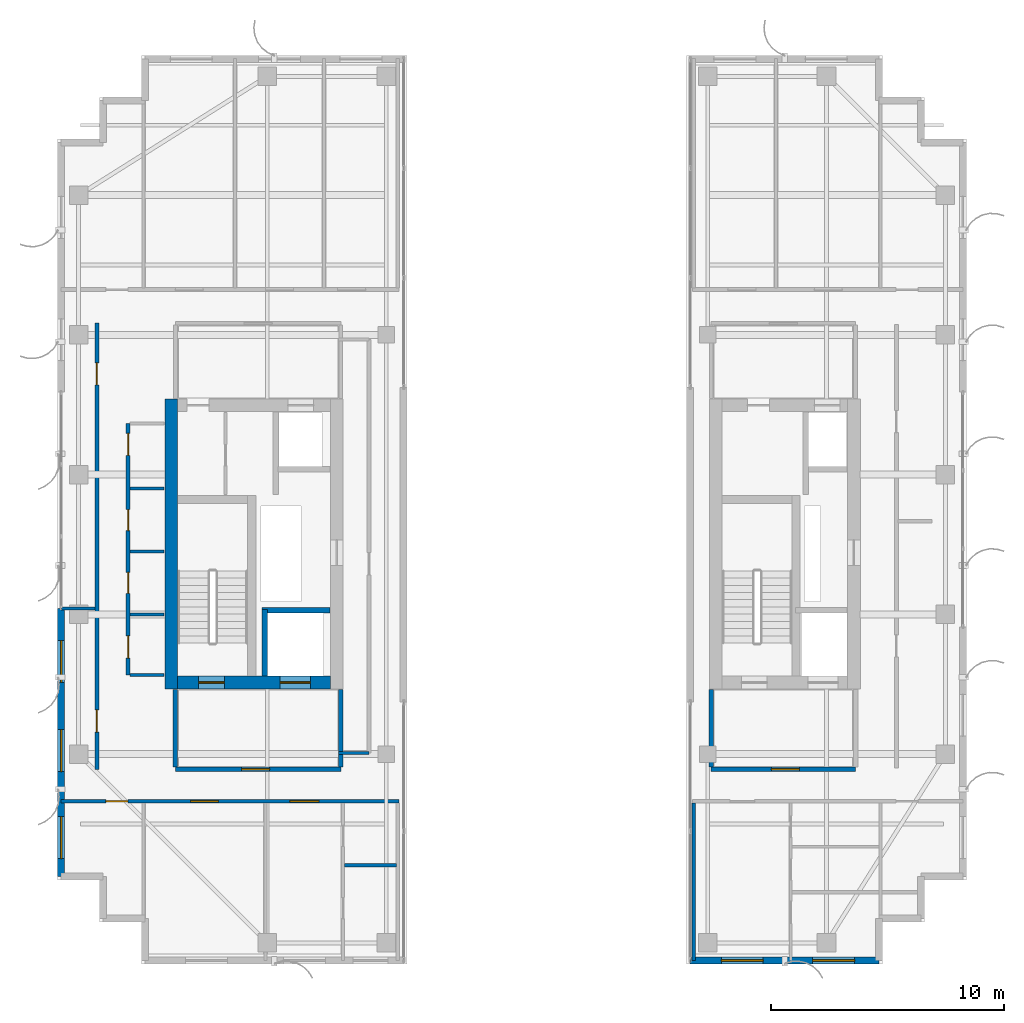
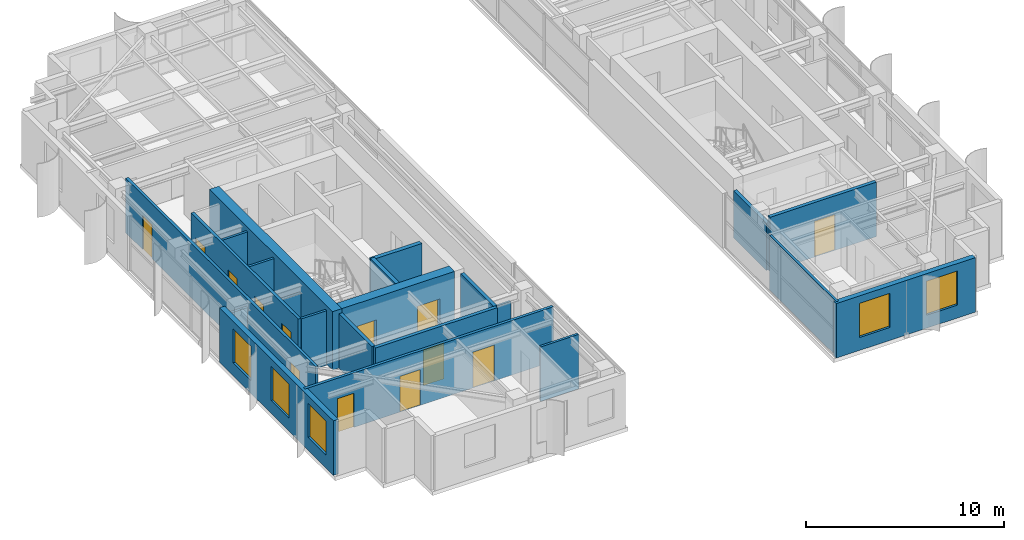
# One storey, part 18 of 24: 22 walls, 13 doors, 5 windows, 18 openings.
"""IFC4 building model written with IfcOpenShell, lengths in metres."""

from ifc_helpers import new_model, si_unit, direction, frame, frame_2d, origin, place, context, subcontext, project, spatial, rectangle, extrude, source, transform, mapped, material, layer, layer_set, type_object, element, fill, save


model = new_model("IFC4")

# Units and contexts
model_context = context("Model", 3, precision=1e-05, world=origin(), true_north=direction((0.0, 1.0)))
body_context = subcontext(model_context, "Body", "Model", "MODEL_VIEW")
ifc_project = project(units=[si_unit("LENGTHUNIT", "METRE"), si_unit("AREAUNIT", "SQUARE_METRE"), si_unit("VOLUMEUNIT", "CUBIC_METRE"), si_unit("PLANEANGLEUNIT", "RADIAN"), si_unit("MASSUNIT", "GRAM", prefix="KILO")], contexts=[model_context])

# Site, building, storey
site_placement = place(None, origin())
site = spatial("IfcSite", under=ifc_project, at=site_placement, CompositionType="ELEMENT")
building_placement = place(site_placement, origin())
building = spatial("IfcBuilding", under=site, at=building_placement, Name="Khoralis Quay Care Tower", CompositionType="ELEMENT")
storey_placement = place(building_placement, frame((0.0, 0.0, 234.89990234375)))
storey = spatial("IfcBuildingStorey", under=building, at=storey_placement, Name="L61", CompositionType="ELEMENT", Elevation=234.89990234375)

# Wall, opening, door
ifc_material_1 = material(Name="Gypsum plasterboard on acoustic metal stud")
ifc_layer_1 = layer(ifc_material_1, 0.199951171875)
ifc_layer_set_1 = layer_set([ifc_layer_1], Name="Gypsum plasterboard on acoustic metal stud")
wall_type_1 = type_object("IfcWallType", Name="WL-COMP-200", PredefinedType="PARTITIONING", material=ifc_layer_set_1)
wall_1_placement = place(storey_placement, frame((8.050048828125, 11.35009765625, 0.0), z_axis=(0.0, 0.0, 1.0), x_axis=(1.0, 0.0, 0.0)))
wall_1 = element("IfcWall", 1, at=wall_1_placement, inside=storey, type_object=wall_type_1, Name="L61 West Firefighting Lobby South Wall", PredefinedType="PARTITIONING", context=body_context, shape_type="SweptSolid", body=[
    extrude(rectangle(XDim=7.099853515625, YDim=0.199951171875, at=frame_2d((3.5498046875, 0.0))), origin(), (0.0, 0.0, 1.0), 3.360107421875),
])
opening_1_placement = place(wall_1_placement, frame((2.846435546875, 0.0, 0.0)))
opening_1 = element("IfcOpeningElement", 2, at=opening_1_placement, cuts=wall_1, Name="Opening FD1", PredefinedType="OPENING", context=body_context, shape_type="SweptSolid", body=[
    extrude(rectangle(XDim=1.199951171875, YDim=2.199951171875, at=frame_2d((0.60009765625, 1.10009765625))), frame((0.0, 0.10986328125, 0.0), z_axis=(0.0, -1.0, 0.0), x_axis=(1.0, 0.0, 0.0)), (0.0, 0.0, 1.0), 0.219970703125),
])
ifc_material_2 = material(Name="Fire-rated painted steel", Category="steel")
door_type_1 = type_object("IfcDoorType", Name="DR-FFL-1200X2200", OperationType="NOTDEFINED", PredefinedType="DOOR", material=ifc_material_2)
shared_shape_1 = source(origin(), body_context, "Body", "SweptSolid", [
    extrude(rectangle(XDim=1.199951171875, YDim=2.199951171875, at=frame_2d((0.60009765625, 1.10009765625))), frame((0.0, 0.02490234375, 0.0), z_axis=(0.0, -1.0, 0.0), x_axis=(1.0, 0.0, 0.0)), (0.0, 0.0, 1.0), 0.050048828125),
])
door_1_placement = place(opening_1_placement, origin())
door_1 = element("IfcDoor", 3, at=door_1_placement, inside=storey, type_object=door_type_1, Name="L61 West Firefighting Lobby Fire Door", OperationType="SINGLE_SWING_LEFT", OverallHeight=2.199951171875, OverallWidth=1.199951171875, PredefinedType="DOOR", context=body_context, shape_type="MappedRepresentation", body=[
    mapped(shared_shape_1, transform((0.0, 0.0, 0.0), scale=1.0)),
])
fill(opening_1, door_1)

# Walls
for number, where, z_axis, x_axis, name in (
    (4, (8.050048828125, 11.445068359375, 0.0), (0.0, 0.0, 1.0), (0.0, 1.0, 0.0), "L61 West Firefighting Lobby West Wall"),
    (5, (15.14990234375, 11.445068359375, 0.0), (0.0, 0.0, 1.0), (0.0, 1.0, 0.0), "L61 West Firefighting Lobby East Wall"),
):
    element("IfcWall", number, at=place(storey_placement, frame(where, z_axis=z_axis, x_axis=x_axis)), inside=storey, type_object=wall_type_1, Name=name, PredefinedType="PARTITIONING", context=body_context, shape_type="SweptSolid", body=[
        extrude(rectangle(XDim=3.3349609375, YDim=0.199951171875, at=frame_2d((1.66748046875, 0.0))), origin(), (0.0, 0.0, 1.0), 3.360107421875),
    ])

# Wall, opening, door
wall_2_placement = place(storey_placement, frame((31.050048828125, 11.35009765625, 0.0), z_axis=(0.0, 0.0, 1.0), x_axis=(1.0, 0.0, 0.0)))
wall_2 = element("IfcWall", 6, at=wall_2_placement, inside=storey, type_object=wall_type_1, Name="L61 East Firefighting Lobby South Wall", PredefinedType="PARTITIONING", context=body_context, shape_type="SweptSolid", body=[
    extrude(rectangle(XDim=6.199951171875, YDim=0.199951171875, at=frame_2d((3.10009765625, 0.0))), origin(), (0.0, 0.0, 1.0), 3.360107421875),
])
opening_2_placement = place(wall_2_placement, frame((2.585693359375, 0.0, 0.0)))
opening_2 = element("IfcOpeningElement", 7, at=opening_2_placement, cuts=wall_2, Name="Opening FD1", PredefinedType="OPENING", context=body_context, shape_type="SweptSolid", body=[
    extrude(rectangle(XDim=1.199951171875, YDim=2.199951171875, at=frame_2d((0.60009765625, 1.10009765625))), frame((0.0, 0.10986328125, 0.0), z_axis=(0.0, -1.0, 0.0), x_axis=(1.0, 0.0, 0.0)), (0.0, 0.0, 1.0), 0.219970703125),
])
door_2_placement = place(opening_2_placement, origin())
door_2 = element("IfcDoor", 8, at=door_2_placement, inside=storey, type_object=door_type_1, Name="L61 East Firefighting Lobby Fire Door", OperationType="SINGLE_SWING_RIGHT", OverallHeight=2.199951171875, OverallWidth=1.199951171875, PredefinedType="DOOR", context=body_context, shape_type="MappedRepresentation", body=[
    mapped(shared_shape_1, transform((0.0, 0.0, 0.0), scale=1.0)),
])
fill(opening_2, door_2)

# Walls
wall_3_placement = place(storey_placement, frame((31.050048828125, 11.445068359375, 0.0), z_axis=(0.0, 0.0, 1.0), x_axis=(0.0, 1.0, 0.0)))
element("IfcWall", 9, at=wall_3_placement, inside=storey, type_object=wall_type_1, Name="L61 East Firefighting Lobby West Wall", PredefinedType="PARTITIONING", context=body_context, shape_type="SweptSolid", body=[
    extrude(rectangle(XDim=3.3349609375, YDim=0.199951171875, at=frame_2d((1.66748046875, 0.0))), origin(), (0.0, 0.0, 1.0), 2.901123046875),
])
ifc_material_3 = material(Name="Concrete C65/80", Category="concrete")
ifc_layer_2 = layer(ifc_material_3, 0.550048828125)
ifc_layer_set_2 = layer_set([ifc_layer_2], Name="Concrete C65/80")
wall_type_2 = type_object("IfcWallType", Name="WL-CORE-550", PredefinedType="SHEAR", material=ifc_layer_set_2)
wall_4_placement = place(storey_placement, frame((7.875, 14.800048828125, 0.0), z_axis=(0.0, 0.0, 1.0), x_axis=(0.0, 1.0, 0.0)))
element("IfcWall", 10, at=wall_4_placement, inside=storey, type_object=wall_type_2, Name="L61 WCORE West Shear Wall", PredefinedType="SHEAR", context=body_context, shape_type="SweptSolid", body=[
    extrude(rectangle(XDim=12.449951171875, YDim=0.550048828125, at=frame_2d((6.22509765625, 0.0))), origin(), (0.0, 0.0, 1.0), 3.60009765625),
])

# Wall, openings, doors
wall_5_placement = place(storey_placement, frame((8.14990234375, 15.074951171875, 0.0), z_axis=(0.0, 0.0, 1.0), x_axis=(1.0, 0.0, 0.0)))
wall_5 = element("IfcWall", 11, at=wall_5_placement, inside=storey, type_object=wall_type_2, Name="L61 WCORE South Shear Wall", PredefinedType="SHEAR", context=body_context, shape_type="SweptSolid", body=[
    extrude(rectangle(XDim=6.550048828125, YDim=0.550048828125, at=frame_2d((3.27490234375, 0.0))), origin(), (0.0, 0.0, 1.0), 3.60009765625),
])
opening_3_placement = place(wall_5_placement, frame((0.89990234375, 0.0, 0.0)))
opening_3 = element("IfcOpeningElement", 12, at=opening_3_placement, cuts=wall_5, Name="Opening SD1", PredefinedType="OPENING", context=body_context, shape_type="SweptSolid", body=[
    extrude(rectangle(XDim=1.10009765625, YDim=2.199951171875, at=frame_2d((0.550048828125, 1.10009765625))), frame((0.0, 0.28515625, 0.0), z_axis=(0.0, -1.0, 0.0), x_axis=(1.0, 0.0, 0.0)), (0.0, 0.0, 1.0), 0.570068359375),
])
opening_4_placement = place(wall_5_placement, frame((4.39990234375, 0.0, 0.0)))
opening_4 = element("IfcOpeningElement", 13, at=opening_4_placement, cuts=wall_5, Name="Opening LD2", PredefinedType="OPENING", context=body_context, shape_type="SweptSolid", body=[
    extrude(rectangle(XDim=1.300048828125, YDim=2.199951171875, at=frame_2d((0.64990234375, 1.10009765625))), frame((0.0, 0.28515625, 0.0), z_axis=(0.0, -1.0, 0.0), x_axis=(1.0, 0.0, 0.0)), (0.0, 0.0, 1.0), 0.570068359375),
])
door_type_2 = type_object("IfcDoorType", Name="DR-STAIR-1100X2200", OperationType="NOTDEFINED", PredefinedType="DOOR", material=ifc_material_2)
shared_shape_2 = source(origin(), body_context, "Body", "SweptSolid", [
    extrude(rectangle(XDim=1.10009765625, YDim=2.199951171875, at=frame_2d((0.550048828125, 1.10009765625))), frame((0.0, 0.02490234375, 0.0), z_axis=(0.0, -1.0, 0.0), x_axis=(1.0, 0.0, 0.0)), (0.0, 0.0, 1.0), 0.050048828125),
])
door_3_placement = place(opening_3_placement, origin())
door_3 = element("IfcDoor", 14, at=door_3_placement, inside=storey, type_object=door_type_2, Name="L61 Stair ST-T1 Fire Door", OperationType="SINGLE_SWING_LEFT", OverallHeight=2.199951171875, OverallWidth=1.10009765625, PredefinedType="DOOR", context=body_context, shape_type="MappedRepresentation", body=[
    mapped(shared_shape_2, transform((0.0, 0.0, 0.0), scale=1.0)),
])
fill(opening_3, door_3)
ifc_material_4 = material(Name="Brushed stainless steel", Category="steel")
door_type_3 = type_object("IfcDoorType", Name="DR-LIFT-1300X2200", OperationType="SLIDING_TO_RIGHT", PredefinedType="DOOR", material=ifc_material_4)
shared_shape_3 = source(origin(), body_context, "Body", "SweptSolid", [
    extrude(rectangle(XDim=1.300048828125, YDim=2.199951171875, at=frame_2d((0.64990234375, 1.10009765625))), frame((0.0, 0.02490234375, 0.0), z_axis=(0.0, -1.0, 0.0), x_axis=(1.0, 0.0, 0.0)), (0.0, 0.0, 1.0), 0.050048828125),
])
door_4_placement = place(opening_4_placement, origin())
door_4 = element("IfcDoor", 15, at=door_4_placement, inside=storey, type_object=door_type_3, Name="L61 Firefighting Lift FFL-1 Landing Door", OperationType="SLIDING_TO_RIGHT", OverallHeight=2.199951171875, OverallWidth=1.300048828125, PredefinedType="DOOR", context=body_context, shape_type="MappedRepresentation", body=[
    mapped(shared_shape_3, transform((0.0, 0.0, 0.0), scale=1.0)),
])
fill(opening_4, door_4)

ifc_layer_3 = layer(ifc_material_1, 0.1650390625)
ifc_layer_set_3 = layer_set([ifc_layer_3], Name="Gypsum plasterboard on acoustic metal stud")
wall_type_3 = type_object("IfcWallType", Name="WL-CORR-165", PredefinedType="PARTITIONING", material=ifc_layer_set_3)
wall_6_placement = place(storey_placement, frame((6.02001953125, 15.39990234375, 0.0), z_axis=(0.0, 0.0, 1.0), x_axis=(0.0, 1.0, 0.0)))
wall_6 = element("IfcWall", 16, at=wall_6_placement, inside=storey, type_object=wall_type_3, Name="L61 West Core Service Flank Wall", PredefinedType="PARTITIONING", context=body_context, shape_type="SweptSolid", body=[
    extrude(rectangle(XDim=10.800048828125, YDim=0.1650390625, at=frame_2d((5.39990234375, 0.0))), origin(), (0.0, 0.0, 1.0), 3.360107421875),
])
opening_5_placement = place(wall_6_placement, frame((0.72509765625, 0.0, 0.0)))
opening_5 = element("IfcOpeningElement", 17, at=opening_5_placement, cuts=wall_6, Name="Opening ID1", PredefinedType="OPENING", context=body_context, shape_type="SweptSolid", body=[
    extrude(rectangle(XDim=0.949951171875, YDim=2.10009765625, at=frame_2d((0.47509765625, 1.050048828125))), frame((0.0, 0.092529296875, 0.0), z_axis=(0.0, -1.0, 0.0), x_axis=(1.0, 0.0, 0.0)), (0.0, 0.0, 1.0), 0.18505859375),
])
opening_6_placement = place(wall_6_placement, frame((3.5, 0.0, 0.0)))
opening_6 = element("IfcOpeningElement", 18, at=opening_6_placement, cuts=wall_6, Name="Opening WD1", PredefinedType="OPENING", context=body_context, shape_type="SweptSolid", body=[
    extrude(rectangle(XDim=0.89990234375, YDim=2.10009765625, at=frame_2d((0.449951171875, 1.050048828125))), frame((0.0, 0.092529296875, 0.0), z_axis=(0.0, -1.0, 0.0), x_axis=(1.0, 0.0, 0.0)), (0.0, 0.0, 1.0), 0.18505859375),
])
opening_7_placement = place(wall_6_placement, frame((6.199951171875, 0.0, 0.0)))
opening_7 = element("IfcOpeningElement", 19, at=opening_7_placement, cuts=wall_6, Name="Opening WD1", PredefinedType="OPENING", context=body_context, shape_type="SweptSolid", body=[
    extrude(rectangle(XDim=0.89990234375, YDim=2.10009765625, at=frame_2d((0.449951171875, 1.050048828125))), frame((0.0, 0.092529296875, 0.0), z_axis=(0.0, -1.0, 0.0), x_axis=(1.0, 0.0, 0.0)), (0.0, 0.0, 1.0), 0.18505859375),
])
opening_8_placement = place(wall_6_placement, frame((9.425048828125, 0.0, 0.0)))
opening_8 = element("IfcOpeningElement", 20, at=opening_8_placement, cuts=wall_6, Name="Opening ID1", PredefinedType="OPENING", context=body_context, shape_type="SweptSolid", body=[
    extrude(rectangle(XDim=0.949951171875, YDim=2.10009765625, at=frame_2d((0.47509765625, 1.050048828125))), frame((0.0, 0.092529296875, 0.0), z_axis=(0.0, -1.0, 0.0), x_axis=(1.0, 0.0, 0.0)), (0.0, 0.0, 1.0), 0.18505859375),
])
ifc_material_5 = material(Name="Acoustic hardwood timber", Category="wood")
door_type_4 = type_object("IfcDoorType", Name="DR-BATH-900X2100", OperationType="NOTDEFINED", PredefinedType="DOOR", material=ifc_material_5)
shared_shape_4 = source(origin(), body_context, "Body", "SweptSolid", [
    extrude(rectangle(XDim=0.89990234375, YDim=2.10009765625, at=frame_2d((0.449951171875, 1.050048828125))), frame((0.0, 0.02490234375, 0.0), z_axis=(0.0, -1.0, 0.0), x_axis=(1.0, 0.0, 0.0)), (0.0, 0.0, 1.0), 0.050048828125),
])
door_5_placement = place(opening_6_placement, frame((0.89990234375, 0.0, 0.0), z_axis=(0.0, 0.0, 1.0), x_axis=(-1.0, 0.0, 0.0)))
door_5 = element("IfcDoor", 21, at=door_5_placement, inside=storey, type_object=door_type_4, Name="L61 Public Accessible WC Door", OperationType="SINGLE_SWING_LEFT", OverallHeight=2.10009765625, OverallWidth=0.89990234375, PredefinedType="DOOR", context=body_context, shape_type="MappedRepresentation", body=[
    mapped(shared_shape_4, transform((0.0, 0.0, 0.0), scale=1.0)),
])
fill(opening_6, door_5)
door_6_placement = place(opening_7_placement, frame((0.89990234375, 0.0, 0.0), z_axis=(0.0, 0.0, 1.0), x_axis=(-1.0, 0.0, 0.0)))
door_6 = element("IfcDoor", 22, at=door_6_placement, inside=storey, type_object=door_type_4, Name="L61 Staff Accessible WC Door", OperationType="SINGLE_SWING_RIGHT", OverallHeight=2.10009765625, OverallWidth=0.89990234375, PredefinedType="DOOR", context=body_context, shape_type="MappedRepresentation", body=[
    mapped(shared_shape_4, transform((0.0, 0.0, 0.0), scale=1.0)),
])
fill(opening_7, door_6)
door_type_5 = type_object("IfcDoorType", Name="DR-ROOM-950X2100", OperationType="NOTDEFINED", PredefinedType="DOOR", material=ifc_material_5)
shared_shape_5 = source(origin(), body_context, "Body", "SweptSolid", [
    extrude(rectangle(XDim=0.949951171875, YDim=2.10009765625, at=frame_2d((0.47509765625, 1.050048828125))), frame((0.0, 0.02490234375, 0.0), z_axis=(0.0, -1.0, 0.0), x_axis=(1.0, 0.0, 0.0)), (0.0, 0.0, 1.0), 0.050048828125),
])
door_7_placement = place(opening_5_placement, frame((0.949951171875, 0.0, 0.0), z_axis=(0.0, 0.0, 1.0), x_axis=(-1.0, 0.0, 0.0)))
door_7 = element("IfcDoor", 23, at=door_7_placement, inside=storey, type_object=door_type_5, Name="L61 Housekeeping Store Door", OperationType="SINGLE_SWING_RIGHT", OverallHeight=2.10009765625, OverallWidth=0.949951171875, PredefinedType="DOOR", context=body_context, shape_type="MappedRepresentation", body=[
    mapped(shared_shape_5, transform((0.0, 0.0, 0.0), scale=1.0)),
])
fill(opening_5, door_7)
door_8_placement = place(opening_8_placement, frame((0.949951171875, 0.0, 0.0), z_axis=(0.0, 0.0, 1.0), x_axis=(-1.0, 0.0, 0.0)))
door_8 = element("IfcDoor", 24, at=door_8_placement, inside=storey, type_object=door_type_5, Name="L61 Telecom IDF Room Door", OperationType="SINGLE_SWING_LEFT", OverallHeight=2.10009765625, OverallWidth=0.949951171875, PredefinedType="DOOR", context=body_context, shape_type="MappedRepresentation", body=[
    mapped(shared_shape_5, transform((0.0, 0.0, 0.0), scale=1.0)),
])
fill(opening_8, door_8)

wall_7_placement = place(storey_placement, frame((3.14501953125, 9.97998046875, 0.0), z_axis=(0.0, 0.0, 1.0), x_axis=(1.0, 0.0, 0.0)))
wall_7 = element("IfcWall", 25, at=wall_7_placement, inside=storey, type_object=wall_type_3, Name="L61 West Wing South Corridor Wall", PredefinedType="PARTITIONING", context=body_context, shape_type="SweptSolid", body=[
    extrude(rectangle(XDim=14.5048828125, YDim=0.1650390625, at=frame_2d((7.25244140625, 0.0))), origin(), (0.0, 0.0, 1.0), 3.360107421875),
])
opening_9_placement = place(wall_7_placement, frame((5.554931640625, 0.0, 0.0)))
opening_9 = element("IfcOpeningElement", 26, at=opening_9_placement, cuts=wall_7, Name="Opening FD1", PredefinedType="OPENING", context=body_context, shape_type="SweptSolid", body=[
    extrude(rectangle(XDim=1.199951171875, YDim=2.199951171875, at=frame_2d((0.60009765625, 1.10009765625))), frame((0.0, 0.092529296875, 0.0), z_axis=(0.0, -1.0, 0.0), x_axis=(1.0, 0.0, 0.0)), (0.0, 0.0, 1.0), 0.18505859375),
])
opening_10_placement = place(wall_7_placement, frame((9.81494140625, 0.0, 0.0)))
opening_10 = element("IfcOpeningElement", 27, at=opening_10_placement, cuts=wall_7, Name="Opening CD1", PredefinedType="OPENING", context=body_context, shape_type="SweptSolid", body=[
    extrude(rectangle(XDim=1.25, YDim=2.199951171875, at=frame_2d((0.625, 1.10009765625))), frame((0.0, 0.092529296875, 0.0), z_axis=(0.0, -1.0, 0.0), x_axis=(1.0, 0.0, 0.0)), (0.0, 0.0, 1.0), 0.18505859375),
])
opening_11_placement = place(wall_7_placement, frame((1.919921875, 0.0, 0.0)))
opening_11 = element("IfcOpeningElement", 28, at=opening_11_placement, cuts=wall_7, Name="Opening ID1", PredefinedType="OPENING", context=body_context, shape_type="SweptSolid", body=[
    extrude(rectangle(XDim=0.949951171875, YDim=2.10009765625, at=frame_2d((0.47509765625, 1.050048828125))), frame((0.0, 0.092529296875, 0.0), z_axis=(0.0, -1.0, 0.0), x_axis=(1.0, 0.0, 0.0)), (0.0, 0.0, 1.0), 0.18505859375),
])
door_9_placement = place(opening_9_placement, frame((1.199951171875, 0.0, 0.0), z_axis=(0.0, 0.0, 1.0), x_axis=(-1.0, 0.0, 0.0)))
door_9 = element("IfcDoor", 29, at=door_9_placement, inside=storey, type_object=door_type_1, Name="L61 Resident Communal Day Lounge Door", OperationType="DOUBLE_DOOR_SINGLE_SWING", OverallHeight=2.199951171875, OverallWidth=1.199951171875, PredefinedType="DOOR", context=body_context, shape_type="MappedRepresentation", body=[
    mapped(shared_shape_1, transform((0.0, 0.0, 0.0), scale=1.0)),
])
fill(opening_9, door_9)
door_type_6 = type_object("IfcDoorType", Name="DR-CARE-1250X2200", OperationType="NOTDEFINED", PredefinedType="DOOR", material=ifc_material_5)
shared_shape_6 = source(origin(), body_context, "Body", "SweptSolid", [
    extrude(rectangle(XDim=1.25, YDim=2.199951171875, at=frame_2d((0.625, 1.10009765625))), frame((0.0, 0.02490234375, 0.0), z_axis=(0.0, -1.0, 0.0), x_axis=(1.0, 0.0, 0.0)), (0.0, 0.0, 1.0), 0.050048828125),
])
door_10_placement = place(opening_10_placement, frame((1.25, 0.0, 0.0), z_axis=(0.0, 0.0, 1.0), x_axis=(-1.0, 0.0, 0.0)))
door_10 = element("IfcDoor", 30, at=door_10_placement, inside=storey, type_object=door_type_6, Name="L61 Care Suite WS1 Clinical Door", OperationType="SINGLE_SWING_LEFT", OverallHeight=2.199951171875, OverallWidth=1.25, PredefinedType="DOOR", context=body_context, shape_type="MappedRepresentation", body=[
    mapped(shared_shape_6, transform((0.0, 0.0, 0.0), scale=1.0)),
])
fill(opening_10, door_10)
door_11_placement = place(opening_11_placement, frame((0.949951171875, 0.0, 0.0), z_axis=(0.0, 0.0, 1.0), x_axis=(-1.0, 0.0, 0.0)))
door_11 = element("IfcDoor", 31, at=door_11_placement, inside=storey, type_object=door_type_5, Name="L61 SW Corner Door", OperationType="SINGLE_SWING_LEFT", OverallHeight=2.10009765625, OverallWidth=0.949951171875, PredefinedType="DOOR", context=body_context, shape_type="MappedRepresentation", body=[
    mapped(shared_shape_5, transform((0.0, 0.0, 0.0), scale=1.0)),
])
fill(opening_11, door_11)

wall_8_placement = place(storey_placement, frame((4.679931640625, 11.35009765625, 0.0), z_axis=(0.0, 0.0, 1.0), x_axis=(0.0, 1.0, 0.0)))
wall_8 = element("IfcWall", 32, at=wall_8_placement, inside=storey, type_object=wall_type_3, Name="L61 West Mid South Entry Wall", PredefinedType="PARTITIONING", context=body_context, shape_type="SweptSolid", body=[
    extrude(rectangle(XDim=19.14990234375, YDim=0.1650390625, at=frame_2d((9.574951171875, 0.0))), origin(), (0.0, 0.0, 1.0), 3.360107421875),
])
opening_12_placement = place(wall_8_placement, frame((1.60009765625, 0.0, 0.0)))
opening_12 = element("IfcOpeningElement", 33, at=opening_12_placement, cuts=wall_8, Name="Opening ID1", PredefinedType="OPENING", context=body_context, shape_type="SweptSolid", body=[
    extrude(rectangle(XDim=0.949951171875, YDim=2.10009765625, at=frame_2d((0.47509765625, 1.050048828125))), frame((0.0, 0.092529296875, 0.0), z_axis=(0.0, -1.0, 0.0), x_axis=(1.0, 0.0, 0.0)), (0.0, 0.0, 1.0), 0.18505859375),
])
opening_13_placement = place(wall_8_placement, frame((16.5, 0.0, 0.0)))
opening_13 = element("IfcOpeningElement", 34, at=opening_13_placement, cuts=wall_8, Name="Opening ID1", PredefinedType="OPENING", context=body_context, shape_type="SweptSolid", body=[
    extrude(rectangle(XDim=0.949951171875, YDim=2.10009765625, at=frame_2d((0.47509765625, 1.050048828125))), frame((0.0, 0.092529296875, 0.0), z_axis=(0.0, -1.0, 0.0), x_axis=(1.0, 0.0, 0.0)), (0.0, 0.0, 1.0), 0.18505859375),
])
door_12_placement = place(opening_12_placement, frame((0.949951171875, 0.0, 0.0), z_axis=(0.0, 0.0, 1.0), x_axis=(-1.0, 0.0, 0.0)))
door_12 = element("IfcDoor", 35, at=door_12_placement, inside=storey, type_object=door_type_5, Name="L61 West Daylight Care Bedroom Door", OperationType="SINGLE_SWING_LEFT", OverallHeight=2.10009765625, OverallWidth=0.949951171875, PredefinedType="DOOR", context=body_context, shape_type="MappedRepresentation", body=[
    mapped(shared_shape_5, transform((0.0, 0.0, 0.0), scale=1.0)),
])
fill(opening_12, door_12)
door_13_placement = place(opening_13_placement, frame((0.949951171875, 0.0, 0.0), z_axis=(0.0, 0.0, 1.0), x_axis=(-1.0, 0.0, 0.0)))
door_13 = element("IfcDoor", 36, at=door_13_placement, inside=storey, type_object=door_type_5, Name="L61 West Resident Day Lounge Door", OperationType="SINGLE_SWING_RIGHT", OverallHeight=2.10009765625, OverallWidth=0.949951171875, PredefinedType="DOOR", context=body_context, shape_type="MappedRepresentation", body=[
    mapped(shared_shape_5, transform((0.0, 0.0, 0.0), scale=1.0)),
])
fill(opening_13, door_13)

# Wall, openings, windows
ifc_material_6 = material(Name="Precast concrete C45/55", Category="concrete")
ifc_layer_4 = layer(ifc_material_6, 0.300048828125)
ifc_layer_set_4 = layer_set([ifc_layer_4], Name="Precast concrete C45/55")
wall_type_4 = type_object("IfcWallType", Name="WL-EXT-REF-300", PredefinedType="SOLIDWALL", material=ifc_layer_set_4)
wall_9_placement = place(storey_placement, frame((3.14990234375, 18.25, 0.0), z_axis=(0.0, 0.0, 1.0), x_axis=(0.0, -1.0, 0.0)))
wall_9 = element("IfcWall", 37, at=wall_9_placement, inside=storey, type_object=wall_type_4, Name="L61 External Facade Wall WL-EXT-L61-P1-E7B", PredefinedType="SOLIDWALL", context=body_context, shape_type="SweptSolid", body=[
    extrude(rectangle(XDim=11.5, YDim=0.300048828125, at=frame_2d((5.75, 0.0))), origin(), (0.0, 0.0, 1.0), 3.360107421875),
])
opening_14_placement = place(wall_9_placement, frame((1.37255859375, 0.0, 0.800048828125)))
opening_14 = element("IfcOpeningElement", 38, at=opening_14_placement, cuts=wall_9, Name="Opening W2", PredefinedType="OPENING", context=body_context, shape_type="SweptSolid", body=[
    extrude(rectangle(XDim=1.800048828125, YDim=2.10009765625, at=frame_2d((0.89990234375, 1.050048828125))), frame((0.0, 0.16015625, 0.0), z_axis=(0.0, -1.0, 0.0), x_axis=(1.0, 0.0, 0.0)), (0.0, 0.0, 1.0), 0.320068359375),
])
opening_15_placement = place(wall_9_placement, frame((5.197509765625, 0.0, 0.800048828125)))
opening_15 = element("IfcOpeningElement", 39, at=opening_15_placement, cuts=wall_9, Name="Opening W2", PredefinedType="OPENING", context=body_context, shape_type="SweptSolid", body=[
    extrude(rectangle(XDim=1.800048828125, YDim=2.10009765625, at=frame_2d((0.89990234375, 1.050048828125))), frame((0.0, 0.16015625, 0.0), z_axis=(0.0, -1.0, 0.0), x_axis=(1.0, 0.0, 0.0)), (0.0, 0.0, 1.0), 0.320068359375),
])
opening_16_placement = place(wall_9_placement, frame((8.93505859375, 0.0, 0.800048828125)))
opening_16 = element("IfcOpeningElement", 40, at=opening_16_placement, cuts=wall_9, Name="Opening W2", PredefinedType="OPENING", context=body_context, shape_type="SweptSolid", body=[
    extrude(rectangle(XDim=1.800048828125, YDim=2.10009765625, at=frame_2d((0.89990234375, 1.050048828125))), frame((0.0, 0.16015625, 0.0), z_axis=(0.0, -1.0, 0.0), x_axis=(1.0, 0.0, 0.0)), (0.0, 0.0, 1.0), 0.320068359375),
])
ifc_material_7 = material(Name="Low-E solar-control double glazing", Category="glass")
window_type = type_object("IfcWindowType", Name="WN-POD-1800X2100", PartitioningType="SINGLE_PANEL", PredefinedType="WINDOW", material=ifc_material_7)
shared_shape_7 = source(origin(), body_context, "Body", "SweptSolid", [
    extrude(rectangle(XDim=1.800048828125, YDim=2.10009765625, at=frame_2d((0.89990234375, 1.050048828125))), frame((0.0, 0.030029296875, 0.0), z_axis=(0.0, -1.0, 0.0), x_axis=(1.0, 0.0, 0.0)), (0.0, 0.0, 1.0), 0.06005859375),
])
window_1_placement = place(opening_14_placement, origin())
window_1 = element("IfcWindow", 41, at=window_1_placement, inside=storey, type_object=window_type, Name="WN-L61-P1-E7B Facade Window 01", OverallHeight=2.10009765625, OverallWidth=1.800048828125, PartitioningType="SINGLE_PANEL", PredefinedType="WINDOW", context=body_context, shape_type="MappedRepresentation", body=[
    mapped(shared_shape_7, transform((0.0, 0.0, 0.0), scale=1.0)),
])
fill(opening_14, window_1)
window_2_placement = place(opening_15_placement, origin())
window_2 = element("IfcWindow", 42, at=window_2_placement, inside=storey, type_object=window_type, Name="WN-L61-P1-E7B Facade Window 02", OverallHeight=2.10009765625, OverallWidth=1.800048828125, PartitioningType="SINGLE_PANEL", PredefinedType="WINDOW", context=body_context, shape_type="MappedRepresentation", body=[
    mapped(shared_shape_7, transform((0.0, 0.0, 0.0), scale=1.0)),
])
fill(opening_15, window_2)
window_3_placement = place(opening_16_placement, origin())
window_3 = element("IfcWindow", 43, at=window_3_placement, inside=storey, type_object=window_type, Name="WN-L61-P1-E7B Facade Window 03", OverallHeight=2.10009765625, OverallWidth=1.800048828125, PartitioningType="SINGLE_PANEL", PredefinedType="WINDOW", context=body_context, shape_type="MappedRepresentation", body=[
    mapped(shared_shape_7, transform((0.0, 0.0, 0.0), scale=1.0)),
])
fill(opening_16, window_3)

wall_10_placement = place(storey_placement, frame((30.14990234375, 3.14990234375, 0.0), z_axis=(0.0, 0.0, 1.0), x_axis=(1.0, 0.0, 0.0)))
wall_10 = element("IfcWall", 44, at=wall_10_placement, inside=storey, type_object=wall_type_4, Name="L61 External Facade Wall WL-EXT-L61-P2-E0", PredefinedType="SOLIDWALL", context=body_context, shape_type="SweptSolid", body=[
    extrude(rectangle(XDim=8.10009765625, YDim=0.300048828125, at=frame_2d((4.050048828125, 0.0))), origin(), (0.0, 0.0, 1.0), 3.360107421875),
])
opening_17_placement = place(wall_10_placement, frame((1.3349609375, 0.0, 0.800048828125)))
opening_17 = element("IfcOpeningElement", 45, at=opening_17_placement, cuts=wall_10, Name="Opening W2", PredefinedType="OPENING", context=body_context, shape_type="SweptSolid", body=[
    extrude(rectangle(XDim=1.800048828125, YDim=2.10009765625, at=frame_2d((0.89990234375, 1.050048828125))), frame((0.0, 0.16015625, 0.0), z_axis=(0.0, -1.0, 0.0), x_axis=(1.0, 0.0, 0.0)), (0.0, 0.0, 1.0), 0.320068359375),
])
opening_18_placement = place(wall_10_placement, frame((5.260009765625, 0.0, 0.800048828125)))
opening_18 = element("IfcOpeningElement", 46, at=opening_18_placement, cuts=wall_10, Name="Opening W2", PredefinedType="OPENING", context=body_context, shape_type="SweptSolid", body=[
    extrude(rectangle(XDim=1.800048828125, YDim=2.10009765625, at=frame_2d((0.89990234375, 1.050048828125))), frame((0.0, 0.16015625, 0.0), z_axis=(0.0, -1.0, 0.0), x_axis=(1.0, 0.0, 0.0)), (0.0, 0.0, 1.0), 0.320068359375),
])
window_4_placement = place(opening_17_placement, origin())
window_4 = element("IfcWindow", 47, at=window_4_placement, inside=storey, type_object=window_type, Name="WN-L61-P2-E0 Facade Window 01", OverallHeight=2.10009765625, OverallWidth=1.800048828125, PartitioningType="SINGLE_PANEL", PredefinedType="WINDOW", context=body_context, shape_type="MappedRepresentation", body=[
    mapped(shared_shape_7, transform((0.0, 0.0, 0.0), scale=1.0)),
])
fill(opening_17, window_4)
window_5_placement = place(opening_18_placement, origin())
window_5 = element("IfcWindow", 48, at=window_5_placement, inside=storey, type_object=window_type, Name="WN-L61-P2-E0 Facade Window 02", OverallHeight=2.10009765625, OverallWidth=1.800048828125, PartitioningType="SINGLE_PANEL", PredefinedType="WINDOW", context=body_context, shape_type="MappedRepresentation", body=[
    mapped(shared_shape_7, transform((0.0, 0.0, 0.0), scale=1.0)),
])
fill(opening_18, window_5)

# Walls
ifc_material_8 = material(Name="Moisture-resistant gypsum and ceramic tile")
ifc_layer_5 = layer(ifc_material_8, 0.280029296875)
ifc_layer_set_5 = layer_set([ifc_layer_5], Name="Moisture-resistant gypsum and ceramic tile")
wall_type_5 = type_object("IfcWallType", Name="WL-PLUMB-280", PredefinedType="PLUMBINGWALL", material=ifc_layer_set_5)
wall_11_placement = place(storey_placement, frame((6.097412109375, 18.0, 0.0), z_axis=(0.0, 0.0, 1.0), x_axis=(1.0, 0.0, 0.0)))
element("IfcWall", 49, at=wall_11_placement, inside=storey, type_object=wall_type_5, Name="L61 West Flank Divider 1", PredefinedType="PLUMBINGWALL", context=body_context, shape_type="SweptSolid", body=[
    extrude(rectangle(XDim=1.462646484375, YDim=0.139892578125, at=frame_2d((0.7314453125, 0.0))), origin(), (0.0, 0.0, 1.0), 2.860107421875),
])
wall_12_placement = place(storey_placement, frame((6.097412109375, 20.699951171875, 0.0), z_axis=(0.0, 0.0, 1.0), x_axis=(1.0, 0.0, 0.0)))
element("IfcWall", 50, at=wall_12_placement, inside=storey, type_object=wall_type_5, Name="L61 West Flank Divider 2", PredefinedType="PLUMBINGWALL", context=body_context, shape_type="SweptSolid", body=[
    extrude(rectangle(XDim=1.462646484375, YDim=0.139892578125, at=frame_2d((0.7314453125, 0.0))), origin(), (0.0, 0.0, 1.0), 3.360107421875),
])
wall_13_placement = place(storey_placement, frame((15.31494140625, 7.22998046875, 0.0), z_axis=(0.0, 0.0, 1.0), x_axis=(1.0, 0.0, 0.0)))
element("IfcWall", 51, at=wall_13_placement, inside=storey, type_object=wall_type_5, Name="L61 Care Suite 1 En-Suite Wall H", PredefinedType="PLUMBINGWALL", context=body_context, shape_type="SweptSolid", body=[
    extrude(rectangle(XDim=2.219970703125, YDim=0.139892578125, at=frame_2d((1.10986328125, 0.0))), origin(), (0.0, 0.0, 1.0), 3.360107421875),
])
ifc_layer_6 = layer(ifc_material_1, 0.239990234375)
ifc_layer_set_6 = layer_set([ifc_layer_6], Name="Gypsum plasterboard on acoustic metal stud")
wall_type_6 = type_object("IfcWallType", Name="WL-SHAFT-240", PredefinedType="PARTITIONING", material=ifc_layer_set_6)
wall_14_placement = place(storey_placement, frame((11.8798828125, 15.35009765625, 0.0), z_axis=(0.0, 0.0, 1.0), x_axis=(0.0, 1.0, 0.0)))
element("IfcWall", 52, at=wall_14_placement, inside=storey, type_object=wall_type_6, Name="L61 FFL-1 Shaft Wall West", PredefinedType="PARTITIONING", context=body_context, shape_type="SweptSolid", body=[
    extrude(rectangle(XDim=2.849853515625, YDim=0.239990234375, at=frame_2d((1.4248046875, 0.0))), origin(), (0.0, 0.0, 1.0), 3.360107421875),
])
wall_15_placement = place(storey_placement, frame((11.760009765625, 18.169921875, 0.0), z_axis=(0.0, 0.0, 1.0), x_axis=(1.0, 0.0, 0.0)))
element("IfcWall", 53, at=wall_15_placement, inside=storey, type_object=wall_type_6, Name="L61 FFL-1 Shaft Wall North", PredefinedType="PARTITIONING", context=body_context, shape_type="SweptSolid", body=[
    extrude(rectangle(XDim=2.919921875, YDim=0.239990234375, at=frame_2d((1.4599609375, 0.0))), origin(), (0.0, 0.0, 1.0), 3.360107421875),
])
ifc_layer_7 = layer(ifc_material_1, 0.139892578125)
ifc_layer_set_7 = layer_set([ifc_layer_7], Name="Gypsum plasterboard on acoustic metal stud")
wall_type_7 = type_object("IfcWallType", Name="WL-UNIT-140", PredefinedType="PARTITIONING", material=ifc_layer_set_7)
for number, where, z_axis, x_axis, name in (
    (54, (6.097412109375, 15.39990234375, 0.0), (0.0, 0.0, 1.0), (1.0, 0.0, 0.0), "L61 West Flank South Cap"),
    (55, (6.097412109375, 23.39990234375, 0.0), (0.0, 0.0, 1.0), (1.0, 0.0, 0.0), "L61 West Flank Divider 3"),
):
    element("IfcWall", number, at=place(storey_placement, frame(where, z_axis=z_axis, x_axis=x_axis)), inside=storey, type_object=wall_type_7, Name=name, PredefinedType="PARTITIONING", context=body_context, shape_type="SweptSolid", body=[
        extrude(rectangle(XDim=1.462646484375, YDim=0.139892578125, at=frame_2d((0.7314453125, 0.0))), origin(), (0.0, 0.0, 1.0), 3.360107421875),
    ])
wall_16_placement = place(storey_placement, frame((3.14501953125, 18.25, 0.0), z_axis=(0.0, 0.0, 1.0), x_axis=(1.0, 0.0, 0.0)))
element("IfcWall", 56, at=wall_16_placement, inside=storey, type_object=wall_type_7, Name="L61 West Mid Split", PredefinedType="PARTITIONING", context=body_context, shape_type="SweptSolid", body=[
    extrude(rectangle(XDim=1.45751953125, YDim=0.139892578125, at=frame_2d((0.728759765625, 0.0))), origin(), (0.0, 0.0, 1.0), 2.860107421875),
])
wall_17_placement = place(storey_placement, frame((30.300048828125, 3.14501953125, 0.0), z_axis=(0.0, 0.0, 1.0), x_axis=(0.0, 1.0, 0.0)))
element("IfcWall", 57, at=wall_17_placement, inside=storey, type_object=wall_type_7, Name="L61 ES Demising Wall 0", PredefinedType="PARTITIONING", context=body_context, shape_type="SweptSolid", body=[
    extrude(rectangle(XDim=6.757568359375, YDim=0.139892578125, at=frame_2d((3.37890625, 0.0))), origin(), (0.0, 0.0, 1.0), 3.360107421875),
])
wall_18_placement = place(storey_placement, frame((15.050048828125, 12.050048828125, 0.0), z_axis=(0.0, 0.0, 1.0), x_axis=(1.0, 0.0, 0.0)))
element("IfcWall", 58, at=wall_18_placement, inside=storey, type_object=wall_type_7, Name="L61 Portal Alcove South Wall", PredefinedType="PARTITIONING", context=body_context, shape_type="SweptSolid", body=[
    extrude(rectangle(XDim=1.31005859375, YDim=0.139892578125, at=frame_2d((0.655029296875, 0.0))), origin(), (0.0, 0.0, 1.0), 2.860107421875),
])

save(model, "model.ifc")
